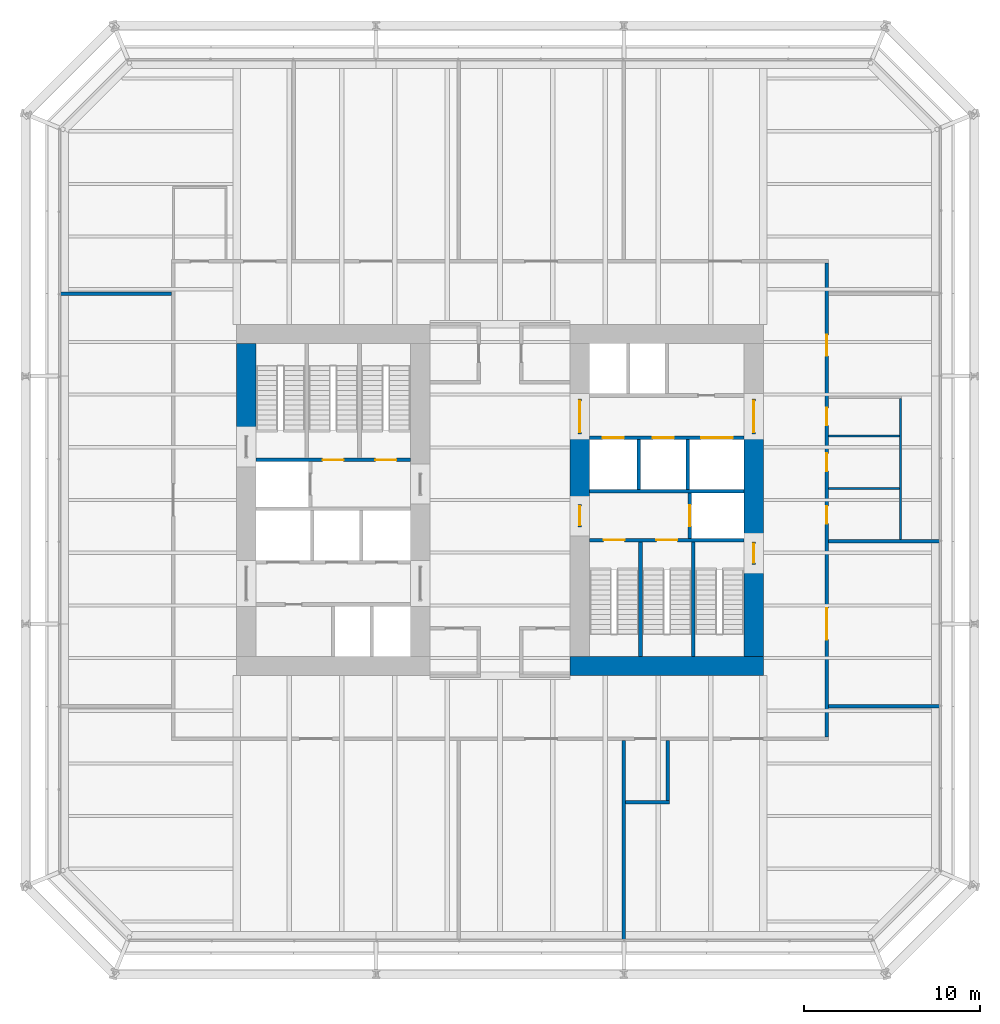
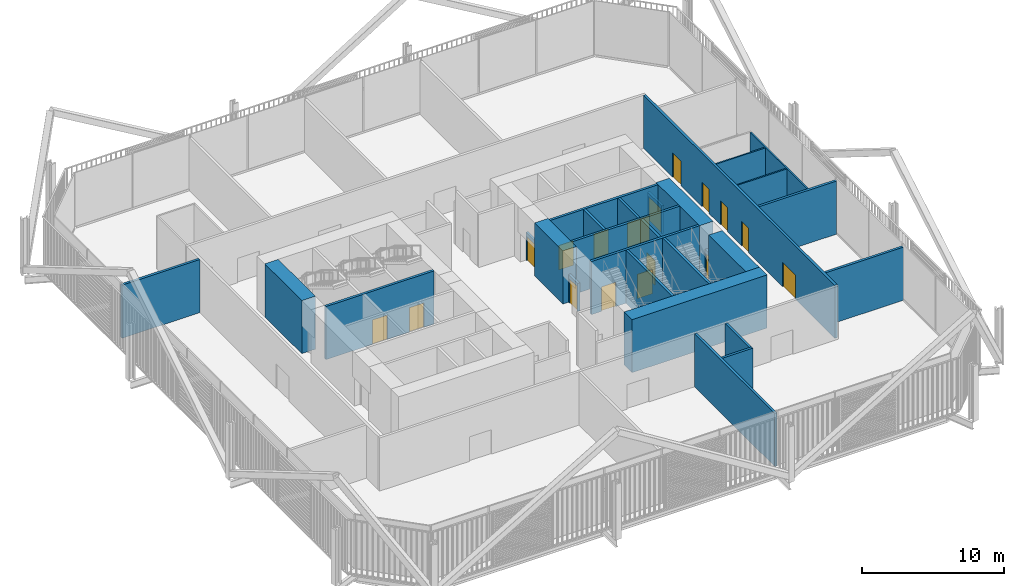
# One storey, part 19 of 22: 28 walls, 17 doors, 17 openings.
"""IFC4 building model written with IfcOpenShell, lengths in metres."""

from ifc_helpers import new_model, si_unit, direction, frame, frame_2d, origin, place, context, subcontext, project, spatial, rectangle, extrude, material, layer, layer_set, type_object, element, fill, save


model = new_model("IFC4")

# Units and contexts
model_context = context("Model", 3, precision=1e-05, world=origin(), true_north=direction((0.0, 1.0)))
body_context = subcontext(model_context, "Body", "Model", "MODEL_VIEW")
ifc_project = project(units=[si_unit("LENGTHUNIT", "METRE"), si_unit("AREAUNIT", "SQUARE_METRE"), si_unit("VOLUMEUNIT", "CUBIC_METRE"), si_unit("PLANEANGLEUNIT", "RADIAN"), si_unit("MASSUNIT", "GRAM", prefix="KILO")], contexts=[model_context])

# Site, building, storey
site_placement = place(None, origin())
site = spatial("IfcSite", under=ifc_project, at=site_placement, CompositionType="ELEMENT")
building_placement = place(site_placement, origin())
building = spatial("IfcBuilding", under=site, at=building_placement, Name="Millrace Tower", CompositionType="ELEMENT")
storey_placement = place(building_placement, frame((0.0, 0.0, 44.89990234375)))
storey = spatial("IfcBuildingStorey", under=building, at=storey_placement, Name="L10", CompositionType="ELEMENT", Elevation=44.89990234375)

# Walls
ifc_material_1 = material(Name="Concrete C80", Category="concrete")
ifc_layer_1 = layer(ifc_material_1, 1.10009765625)
ifc_layer_set_1 = layer_set([ifc_layer_1], Name="Concrete C80")
wall_type_1 = type_object("IfcWallType", Name="Core wall 1100 Concrete C80", PredefinedType="SHEAR", material=ifc_layer_set_1)
wall_1_placement = place(storey_placement, frame((-14.449951171875, 3.679931640625, 0.0), z_axis=(0.0, 0.0, 1.0), x_axis=(0.0, 1.0, 0.0)))
element("IfcWall", 1, at=wall_1_placement, inside=storey, type_object=wall_type_1, Name="Core wall W L10", PredefinedType="SHEAR", context=body_context, shape_type="SweptSolid", body=[
    extrude(rectangle(XDim=5.219970703125, YDim=1.10009765625, at=frame_2d((2.60986328125, 0.0))), origin(), (0.0, 0.0, 1.0), 4.5751953125),
])
wall_2_placement = place(storey_placement, frame((15.0, -9.449951171875, 0.0), z_axis=(0.0, 0.0, 1.0), x_axis=(-1.0, 0.0, 0.0)))
element("IfcWall", 2, at=wall_2_placement, inside=storey, type_object=wall_type_1, Name="Core wall E L10", PredefinedType="SHEAR", context=body_context, shape_type="SweptSolid", body=[
    extrude(rectangle(XDim=11.0, YDim=1.10009765625, at=frame_2d((5.5, 0.0))), origin(), (0.0, 0.0, 1.0), 4.5751953125),
])
wall_3_placement = place(storey_placement, frame((14.449951171875, 3.75, 0.0), z_axis=(0.0, 0.0, 1.0), x_axis=(0.0, -1.0, 0.0)))
element("IfcWall", 3, at=wall_3_placement, inside=storey, type_object=wall_type_1, Name="Core wall E L10", PredefinedType="SHEAR", context=body_context, shape_type="SweptSolid", body=[
    extrude(rectangle(XDim=6.1298828125, YDim=1.10009765625, at=frame_2d((3.06494140625, 0.0))), origin(), (0.0, 0.0, 1.0), 4.5751953125),
])
wall_4_placement = place(storey_placement, frame((14.449951171875, -3.679931640625, 0.0), z_axis=(0.0, 0.0, 1.0), x_axis=(0.0, -1.0, 0.0)))
element("IfcWall", 4, at=wall_4_placement, inside=storey, type_object=wall_type_1, Name="Core wall E L10", PredefinedType="SHEAR", context=body_context, shape_type="SweptSolid", body=[
    extrude(rectangle(XDim=5.219970703125, YDim=1.10009765625, at=frame_2d((2.60986328125, 0.0))), origin(), (0.0, 0.0, 1.0), 4.5751953125),
])
wall_5_placement = place(storey_placement, frame((4.550048828125, 3.75, 0.0), z_axis=(0.0, 0.0, 1.0), x_axis=(0.0, -1.0, 0.0)))
element("IfcWall", 5, at=wall_5_placement, inside=storey, type_object=wall_type_1, Name="Core wall E L10", PredefinedType="SHEAR", context=body_context, shape_type="SweptSolid", body=[
    extrude(rectangle(XDim=4.0, YDim=1.10009765625, at=frame_2d((2.0, 0.0))), origin(), (0.0, 0.0, 1.0), 4.5751953125),
])
ifc_material_2 = material(Name="Masonry partition, fire-rated", Category="masonry")
ifc_layer_2 = layer(ifc_material_2, 0.199951171875)
ifc_layer_set_2 = layer_set([ifc_layer_2], Name="Masonry partition, fire-rated")
wall_type_2 = type_object("IfcWallType", Name="Corridor wall 200", PredefinedType="PARTITIONING", material=ifc_layer_set_2)
wall_6_placement = place(storey_placement, frame((7.14990234375, -17.199951171875, 0.0), z_axis=(0.0, 0.0, 1.0), x_axis=(1.0, 0.0, 0.0)))
element("IfcWall", 6, at=wall_6_placement, inside=storey, type_object=wall_type_2, Name="Corridor wall L10", PredefinedType="PARTITIONING", context=body_context, shape_type="SweptSolid", body=[
    extrude(rectangle(XDim=2.5, YDim=0.199951171875, at=frame_2d((1.25, 0.0))), origin(), (0.0, 0.0, 1.0), 4.5751953125),
])
for number, where, z_axis, x_axis, name in (
    (7, (18.699951171875, -11.75, 0.0), (0.0, 0.0, 1.0), (1.0, 0.0, 0.0), "Corridor wall L10"),
    (8, (18.699951171875, -2.35009765625, 0.0), (0.0, 0.0, 1.0), (1.0, 0.0, 0.0), "Corridor wall L10"),
    (9, (-25.030029296875, 11.75, 0.0), (0.0, 0.0, 1.0), (1.0, 0.0, 0.0), "Corridor wall L10"),
):
    element("IfcWall", number, at=place(storey_placement, frame(where, z_axis=z_axis, x_axis=x_axis)), inside=storey, type_object=wall_type_2, Name=name, PredefinedType="PARTITIONING", context=body_context, shape_type="SweptSolid", body=[
        extrude(rectangle(XDim=6.330078125, YDim=0.199951171875, at=frame_2d((3.1650390625, 0.0))), origin(), (0.0, 0.0, 1.0), 4.5751953125),
    ])

# Wall, openings, doors
wall_7_placement = place(storey_placement, frame((18.60009765625, -13.5, 0.0), z_axis=(0.0, 0.0, 1.0), x_axis=(0.0, 1.0, 0.0)))
wall_7 = element("IfcWall", 10, at=wall_7_placement, inside=storey, type_object=wall_type_2, Name="Corridor wall L10", PredefinedType="PARTITIONING", context=body_context, shape_type="SweptSolid", body=[
    extrude(rectangle(XDim=27.0, YDim=0.199951171875, at=frame_2d((13.5, 0.0))), origin(), (0.0, 0.0, 1.0), 4.5751953125),
])
opening_1_placement = place(wall_7_placement, frame((5.550048828125, 0.0, 0.0)))
opening_1 = element("IfcOpeningElement", 11, at=opening_1_placement, cuts=wall_7, Name="Opening 10-P014", PredefinedType="OPENING", context=body_context, shape_type="SweptSolid", body=[
    extrude(rectangle(XDim=1.800048828125, YDim=2.10009765625, at=frame_2d((0.89990234375, 1.050048828125))), frame((0.0, 0.10986328125, 0.0), z_axis=(0.0, -1.0, 0.0), x_axis=(1.0, 0.0, 0.0)), (0.0, 0.0, 1.0), 0.219970703125),
])
opening_2_placement = place(wall_7_placement, frame((21.699951171875, 0.0, 0.0)))
opening_2 = element("IfcOpeningElement", 12, at=opening_2_placement, cuts=wall_7, Name="Opening 10-P015", PredefinedType="OPENING", context=body_context, shape_type="SweptSolid", body=[
    extrude(rectangle(XDim=1.199951171875, YDim=2.10009765625, at=frame_2d((0.60009765625, 1.050048828125))), frame((0.0, 0.10986328125, 0.0), z_axis=(0.0, -1.0, 0.0), x_axis=(1.0, 0.0, 0.0)), (0.0, 0.0, 1.0), 0.219970703125),
])
opening_3_placement = place(wall_7_placement, frame((12.14990234375, 0.0, 0.0)))
opening_3 = element("IfcOpeningElement", 13, at=opening_3_placement, cuts=wall_7, Name="Opening 10-P017", PredefinedType="OPENING", context=body_context, shape_type="SweptSolid", body=[
    extrude(rectangle(XDim=1.0, YDim=2.10009765625, at=frame_2d((0.5, 1.050048828125))), frame((0.0, 0.10986328125, 0.0), z_axis=(0.0, -1.0, 0.0), x_axis=(1.0, 0.0, 0.0)), (0.0, 0.0, 1.0), 0.219970703125),
])
opening_4_placement = place(wall_7_placement, frame((15.14990234375, 0.0, 0.0)))
opening_4 = element("IfcOpeningElement", 14, at=opening_4_placement, cuts=wall_7, Name="Opening 10-P018", PredefinedType="OPENING", context=body_context, shape_type="SweptSolid", body=[
    extrude(rectangle(XDim=1.0, YDim=2.10009765625, at=frame_2d((0.5, 1.050048828125))), frame((0.0, 0.10986328125, 0.0), z_axis=(0.0, -1.0, 0.0), x_axis=(1.0, 0.0, 0.0)), (0.0, 0.0, 1.0), 0.219970703125),
])
opening_5_placement = place(wall_7_placement, frame((17.75, 0.0, 0.0)))
opening_5 = element("IfcOpeningElement", 15, at=opening_5_placement, cuts=wall_7, Name="Opening 10-P019", PredefinedType="OPENING", context=body_context, shape_type="SweptSolid", body=[
    extrude(rectangle(XDim=1.0, YDim=2.10009765625, at=frame_2d((0.5, 1.050048828125))), frame((0.0, 0.10986328125, 0.0), z_axis=(0.0, -1.0, 0.0), x_axis=(1.0, 0.0, 0.0)), (0.0, 0.0, 1.0), 0.219970703125),
])
ifc_material_3 = material(Name="Steel door set, fire-rated", Category="steel")
door_type_1 = type_object("IfcDoorType", Name="Corridor door 1000 x 2100", OperationType="SINGLE_SWING_LEFT", PredefinedType="DOOR", material=ifc_material_3)
door_1_placement = place(opening_3_placement, frame((1.0, 0.0, 0.0), z_axis=(0.0, 0.0, 1.0), x_axis=(-1.0, 0.0, 0.0)))
door_1 = element("IfcDoor", 16, at=door_1_placement, inside=storey, type_object=door_type_1, Name="Door 10-P017", OperationType="SINGLE_SWING_RIGHT", OverallHeight=2.10009765625, OverallWidth=1.0, PredefinedType="DOOR", context=body_context, shape_type="SweptSolid", body=[
    extrude(rectangle(XDim=1.0, YDim=2.10009765625, at=frame_2d((0.5, 1.050048828125))), frame((0.0, 0.02490234375, 0.0), z_axis=(0.0, -1.0, 0.0), x_axis=(1.0, 0.0, 0.0)), (0.0, 0.0, 1.0), 0.050048828125),
])
fill(opening_3, door_1)
door_2_placement = place(opening_4_placement, frame((1.0, 0.0, 0.0), z_axis=(0.0, 0.0, 1.0), x_axis=(-1.0, 0.0, 0.0)))
door_2 = element("IfcDoor", 17, at=door_2_placement, inside=storey, type_object=door_type_1, Name="Door 10-P018", OperationType="SINGLE_SWING_LEFT", OverallHeight=2.10009765625, OverallWidth=1.0, PredefinedType="DOOR", context=body_context, shape_type="SweptSolid", body=[
    extrude(rectangle(XDim=1.0, YDim=2.10009765625, at=frame_2d((0.5, 1.050048828125))), frame((0.0, 0.02490234375, 0.0), z_axis=(0.0, -1.0, 0.0), x_axis=(1.0, 0.0, 0.0)), (0.0, 0.0, 1.0), 0.050048828125),
])
fill(opening_4, door_2)
door_3_placement = place(opening_5_placement, frame((1.0, 0.0, 0.0), z_axis=(0.0, 0.0, 1.0), x_axis=(-1.0, 0.0, 0.0)))
door_3 = element("IfcDoor", 18, at=door_3_placement, inside=storey, type_object=door_type_1, Name="Door 10-P019", OperationType="SINGLE_SWING_LEFT", OverallHeight=2.10009765625, OverallWidth=1.0, PredefinedType="DOOR", context=body_context, shape_type="SweptSolid", body=[
    extrude(rectangle(XDim=1.0, YDim=2.10009765625, at=frame_2d((0.5, 1.050048828125))), frame((0.0, 0.02490234375, 0.0), z_axis=(0.0, -1.0, 0.0), x_axis=(1.0, 0.0, 0.0)), (0.0, 0.0, 1.0), 0.050048828125),
])
fill(opening_5, door_3)
ifc_material_4 = material(Name="Steel door set, fire-rated", Category="steel")
door_type_2 = type_object("IfcDoorType", Name="Corridor door 1200 x 2100", OperationType="SINGLE_SWING_LEFT", PredefinedType="DOOR", material=ifc_material_4)
door_4_placement = place(opening_2_placement, frame((1.199951171875, 0.0, 0.0), z_axis=(0.0, 0.0, 1.0), x_axis=(-1.0, 0.0, 0.0)))
door_4 = element("IfcDoor", 19, at=door_4_placement, inside=storey, type_object=door_type_2, Name="Door 10-P015", OperationType="SINGLE_SWING_LEFT", OverallHeight=2.10009765625, OverallWidth=1.199951171875, PredefinedType="DOOR", context=body_context, shape_type="SweptSolid", body=[
    extrude(rectangle(XDim=1.199951171875, YDim=2.10009765625, at=frame_2d((0.60009765625, 1.050048828125))), frame((0.0, 0.02490234375, 0.0), z_axis=(0.0, -1.0, 0.0), x_axis=(1.0, 0.0, 0.0)), (0.0, 0.0, 1.0), 0.050048828125),
])
fill(opening_2, door_4)
ifc_material_5 = material(Name="Steel door set, fire-rated", Category="steel")
door_type_3 = type_object("IfcDoorType", Name="Data hall door 1800 x 2100", OperationType="DOUBLE_DOOR_SINGLE_SWING", PredefinedType="DOOR", material=ifc_material_5)
door_5_placement = place(opening_1_placement, frame((1.800048828125, 0.0, 0.0), z_axis=(0.0, 0.0, 1.0), x_axis=(-1.0, 0.0, 0.0)))
door_5 = element("IfcDoor", 20, at=door_5_placement, inside=storey, type_object=door_type_3, Name="Door 10-P014", OperationType="DOUBLE_DOOR_SINGLE_SWING", OverallHeight=2.10009765625, OverallWidth=1.800048828125, PredefinedType="DOOR", context=body_context, shape_type="SweptSolid", body=[
    extrude(rectangle(XDim=1.800048828125, YDim=2.10009765625, at=frame_2d((0.89990234375, 1.050048828125))), frame((0.0, 0.02490234375, 0.0), z_axis=(0.0, -1.0, 0.0), x_axis=(1.0, 0.0, 0.0)), (0.0, 0.0, 1.0), 0.050048828125),
])
fill(opening_1, door_5)

# Walls
wall_8_placement = place(storey_placement, frame((9.550048828125, -17.10009765625, 0.0), z_axis=(0.0, 0.0, 1.0), x_axis=(0.0, 1.0, 0.0)))
element("IfcWall", 21, at=wall_8_placement, inside=storey, type_object=wall_type_2, Name="Corridor wall L10", PredefinedType="PARTITIONING", context=body_context, shape_type="SweptSolid", body=[
    extrude(rectangle(XDim=3.400146484375, YDim=0.199951171875, at=frame_2d((1.7001953125, 0.0))), origin(), (0.0, 0.0, 1.0), 4.5751953125),
])
wall_9_placement = place(storey_placement, frame((7.050048828125, -25.030029296875, 0.0), z_axis=(0.0, 0.0, 1.0), x_axis=(0.0, 1.0, 0.0)))
element("IfcWall", 22, at=wall_9_placement, inside=storey, type_object=wall_type_2, Name="Corridor wall L10", PredefinedType="PARTITIONING", context=body_context, shape_type="SweptSolid", body=[
    extrude(rectangle(XDim=11.330078125, YDim=0.199951171875, at=frame_2d((5.6650390625, 0.0))), origin(), (0.0, 0.0, 1.0), 4.5751953125),
])

# Wall, openings, doors
ifc_material_6 = material(Name="Masonry partition, fire-rated", Category="masonry")
ifc_layer_3 = layer(ifc_material_6, 0.199951171875)
ifc_layer_set_3 = layer_set([ifc_layer_3], Name="Masonry partition, fire-rated")
wall_type_3 = type_object("IfcWallType", Name="Lift shaft wall 200", PredefinedType="PARTITIONING", material=ifc_layer_set_3)
wall_10_placement = place(storey_placement, frame((13.89990234375, 3.550048828125, 0.0), z_axis=(0.0, 0.0, 1.0), x_axis=(-1.0, 0.0, 0.0)))
wall_10 = element("IfcWall", 23, at=wall_10_placement, inside=storey, type_object=wall_type_3, Name="Lift shaft wall E L10", PredefinedType="PARTITIONING", context=body_context, shape_type="SweptSolid", body=[
    extrude(rectangle(XDim=8.7998046875, YDim=0.199951171875, at=frame_2d((4.39990234375, 0.0))), origin(), (0.0, 0.0, 1.0), 4.5751953125),
])
opening_6_placement = place(wall_10_placement, frame((0.64990234375, 0.0, 0.0)))
opening_6 = element("IfcOpeningElement", 24, at=opening_6_placement, cuts=wall_10, Name="Opening 10-LD13", PredefinedType="OPENING", context=body_context, shape_type="SweptSolid", body=[
    extrude(rectangle(XDim=1.800048828125, YDim=2.10009765625, at=frame_2d((0.89990234375, 1.050048828125))), frame((0.0, 0.10986328125, 0.0), z_axis=(0.0, -1.0, 0.0), x_axis=(1.0, 0.0, 0.0)), (0.0, 0.0, 1.0), 0.219970703125),
])
opening_7_placement = place(wall_10_placement, frame((4.0, 0.0, 0.0)))
opening_7 = element("IfcOpeningElement", 25, at=opening_7_placement, cuts=wall_10, Name="Opening 10-LD14", PredefinedType="OPENING", context=body_context, shape_type="SweptSolid", body=[
    extrude(rectangle(XDim=1.199951171875, YDim=2.10009765625, at=frame_2d((0.60009765625, 1.050048828125))), frame((0.0, 0.10986328125, 0.0), z_axis=(0.0, -1.0, 0.0), x_axis=(1.0, 0.0, 0.0)), (0.0, 0.0, 1.0), 0.219970703125),
])
opening_8_placement = place(wall_10_placement, frame((6.85009765625, 0.0, 0.0)))
opening_8 = element("IfcOpeningElement", 26, at=opening_8_placement, cuts=wall_10, Name="Opening 10-LD15", PredefinedType="OPENING", context=body_context, shape_type="SweptSolid", body=[
    extrude(rectangle(XDim=1.199951171875, YDim=2.10009765625, at=frame_2d((0.60009765625, 1.050048828125))), frame((0.0, 0.10986328125, 0.0), z_axis=(0.0, -1.0, 0.0), x_axis=(1.0, 0.0, 0.0)), (0.0, 0.0, 1.0), 0.219970703125),
])
ifc_material_7 = material(Name="Stainless steel, fire-rated", Category="steel")
door_type_4 = type_object("IfcDoorType", Name="Lift landing door 1200 x 2100", OperationType="DOUBLE_DOOR_SLIDING", PredefinedType="DOOR", material=ifc_material_7)
door_6_placement = place(opening_7_placement, origin())
door_6 = element("IfcDoor", 27, at=door_6_placement, inside=storey, type_object=door_type_4, Name="Lift landing door LF14 L10", OperationType="DOUBLE_DOOR_SLIDING", OverallHeight=2.10009765625, OverallWidth=1.199951171875, PredefinedType="DOOR", context=body_context, shape_type="SweptSolid", body=[
    extrude(rectangle(XDim=1.199951171875, YDim=2.10009765625, at=frame_2d((0.60009765625, 1.050048828125))), frame((0.0, 0.02490234375, 0.0), z_axis=(0.0, -1.0, 0.0), x_axis=(1.0, 0.0, 0.0)), (0.0, 0.0, 1.0), 0.050048828125),
])
fill(opening_7, door_6)
door_7_placement = place(opening_8_placement, origin())
door_7 = element("IfcDoor", 28, at=door_7_placement, inside=storey, type_object=door_type_4, Name="Lift landing door LF15 L10", OperationType="DOUBLE_DOOR_SLIDING", OverallHeight=2.10009765625, OverallWidth=1.199951171875, PredefinedType="DOOR", context=body_context, shape_type="SweptSolid", body=[
    extrude(rectangle(XDim=1.199951171875, YDim=2.10009765625, at=frame_2d((0.60009765625, 1.050048828125))), frame((0.0, 0.02490234375, 0.0), z_axis=(0.0, -1.0, 0.0), x_axis=(1.0, 0.0, 0.0)), (0.0, 0.0, 1.0), 0.050048828125),
])
fill(opening_8, door_7)
ifc_material_8 = material(Name="Stainless steel, fire-rated", Category="steel")
door_type_5 = type_object("IfcDoorType", Name="Lift landing door 1800 x 2100", OperationType="DOUBLE_DOOR_SLIDING", PredefinedType="DOOR", material=ifc_material_8)
door_8_placement = place(opening_6_placement, origin())
door_8 = element("IfcDoor", 29, at=door_8_placement, inside=storey, type_object=door_type_5, Name="Lift landing door LF13 L10", OperationType="DOUBLE_DOOR_SLIDING", OverallHeight=2.10009765625, OverallWidth=1.800048828125, PredefinedType="DOOR", context=body_context, shape_type="SweptSolid", body=[
    extrude(rectangle(XDim=1.800048828125, YDim=2.10009765625, at=frame_2d((0.89990234375, 1.050048828125))), frame((0.0, 0.02490234375, 0.0), z_axis=(0.0, -1.0, 0.0), x_axis=(1.0, 0.0, 0.0)), (0.0, 0.0, 1.0), 0.050048828125),
])
fill(opening_6, door_8)

# Wall
wall_11_placement = place(storey_placement, frame((13.89990234375, 0.5, 0.0), z_axis=(0.0, 0.0, 1.0), x_axis=(-1.0, 0.0, 0.0)))
element("IfcWall", 30, at=wall_11_placement, inside=storey, type_object=wall_type_3, Name="Lift shaft wall E L10", PredefinedType="PARTITIONING", context=body_context, shape_type="SweptSolid", body=[
    extrude(rectangle(XDim=8.7998046875, YDim=0.199951171875, at=frame_2d((4.39990234375, 0.0))), origin(), (0.0, 0.0, 1.0), 4.5751953125),
])

# Wall, opening, door
wall_12_placement = place(storey_placement, frame((10.800048828125, 0.39990234375, 0.0), z_axis=(0.0, 0.0, 1.0), x_axis=(0.0, -1.0, 0.0)))
wall_12 = element("IfcWall", 31, at=wall_12_placement, inside=storey, type_object=wall_type_3, Name="Lift shaft wall E L10", PredefinedType="PARTITIONING", context=body_context, shape_type="SweptSolid", body=[
    extrude(rectangle(XDim=2.579833984375, YDim=0.199951171875, at=frame_2d((1.2900390625, 0.0))), origin(), (0.0, 0.0, 1.0), 4.5751953125),
])
opening_9_placement = place(wall_12_placement, frame((0.68994140625, 0.0, 0.0)))
opening_9 = element("IfcOpeningElement", 32, at=opening_9_placement, cuts=wall_12, Name="Opening 10-LD16", PredefinedType="OPENING", context=body_context, shape_type="SweptSolid", body=[
    extrude(rectangle(XDim=1.199951171875, YDim=2.10009765625, at=frame_2d((0.60009765625, 1.050048828125))), frame((0.0, 0.10986328125, 0.0), z_axis=(0.0, -1.0, 0.0), x_axis=(1.0, 0.0, 0.0)), (0.0, 0.0, 1.0), 0.219970703125),
])
door_9_placement = place(opening_9_placement, origin())
door_9 = element("IfcDoor", 33, at=door_9_placement, inside=storey, type_object=door_type_4, Name="Lift landing door LF16 L10", OperationType="DOUBLE_DOOR_SLIDING", OverallHeight=2.10009765625, OverallWidth=1.199951171875, PredefinedType="DOOR", context=body_context, shape_type="SweptSolid", body=[
    extrude(rectangle(XDim=1.199951171875, YDim=2.10009765625, at=frame_2d((0.60009765625, 1.050048828125))), frame((0.0, 0.02490234375, 0.0), z_axis=(0.0, -1.0, 0.0), x_axis=(1.0, 0.0, 0.0)), (0.0, 0.0, 1.0), 0.050048828125),
])
fill(opening_9, door_9)

# Walls
for number, where, z_axis, x_axis, name in (
    (34, (10.699951171875, 3.449951171875, 0.0), (0.0, 0.0, 1.0), (0.0, -1.0, 0.0), "Lift shaft wall E L10"),
    (35, (7.89990234375, 3.449951171875, 0.0), (0.0, 0.0, 1.0), (0.0, -1.0, 0.0), "Lift shaft wall E L10"),
):
    element("IfcWall", number, at=place(storey_placement, frame(where, z_axis=z_axis, x_axis=x_axis)), inside=storey, type_object=wall_type_3, Name=name, PredefinedType="PARTITIONING", context=body_context, shape_type="SweptSolid", body=[
        extrude(rectangle(XDim=2.849853515625, YDim=0.199951171875, at=frame_2d((1.4248046875, 0.0))), origin(), (0.0, 0.0, 1.0), 4.5751953125),
    ])

# Wall, opening, door
ifc_material_9 = material(Name="Masonry partition, fire-rated", Category="masonry")
ifc_layer_4 = layer(ifc_material_9, 0.199951171875)
ifc_layer_set_4 = layer_set([ifc_layer_4], Name="Masonry partition, fire-rated")
wall_type_4 = type_object("IfcWallType", Name="Lobby wall 200", PredefinedType="PARTITIONING", material=ifc_layer_set_4)
wall_13_placement = place(storey_placement, frame((14.449951171875, 5.75, 0.0), z_axis=(0.0, 0.0, 1.0), x_axis=(0.0, -1.0, 0.0)))
wall_13 = element("IfcWall", 36, at=wall_13_placement, inside=storey, type_object=wall_type_4, Name="Lobby wall E L10", PredefinedType="PARTITIONING", context=body_context, shape_type="SweptSolid", body=[
    extrude(rectangle(XDim=2.0, YDim=0.199951171875, at=frame_2d((1.0, 0.0))), origin(), (0.0, 0.0, 1.0), 2.400146484375),
])
opening_10_placement = place(wall_13_placement, frame((0.10009765625, 0.0, 0.0)))
opening_10 = element("IfcOpeningElement", 37, at=opening_10_placement, cuts=wall_13, Name="Opening 10-C008", PredefinedType="OPENING", context=body_context, shape_type="SweptSolid", body=[
    extrude(rectangle(XDim=1.800048828125, YDim=2.10009765625, at=frame_2d((0.89990234375, 1.050048828125))), frame((0.0, 0.10986328125, 0.0), z_axis=(0.0, -1.0, 0.0), x_axis=(1.0, 0.0, 0.0)), (0.0, 0.0, 1.0), 0.219970703125),
])
ifc_material_10 = material(Name="Steel door, fire-rated", Category="steel")
door_type_6 = type_object("IfcDoorType", Name="Lobby door 1800 x 2100", OperationType="DOUBLE_DOOR_SINGLE_SWING", PredefinedType="DOOR", material=ifc_material_10)
door_10_placement = place(opening_10_placement, origin())
door_10 = element("IfcDoor", 38, at=door_10_placement, inside=storey, type_object=door_type_6, Name="Lobby door 10-C008", OperationType="DOUBLE_DOOR_SINGLE_SWING", OverallHeight=2.10009765625, OverallWidth=1.800048828125, PredefinedType="DOOR", context=body_context, shape_type="SweptSolid", body=[
    extrude(rectangle(XDim=1.800048828125, YDim=2.10009765625, at=frame_2d((0.89990234375, 1.050048828125))), frame((0.0, 0.02490234375, 0.0), z_axis=(0.0, -1.0, 0.0), x_axis=(1.0, 0.0, 0.0)), (0.0, 0.0, 1.0), 0.050048828125),
])
fill(opening_10, door_10)

wall_14_placement = place(storey_placement, frame((4.550048828125, 5.75, 0.0), z_axis=(0.0, 0.0, 1.0), x_axis=(0.0, -1.0, 0.0)))
wall_14 = element("IfcWall", 39, at=wall_14_placement, inside=storey, type_object=wall_type_4, Name="Lobby wall E L10", PredefinedType="PARTITIONING", context=body_context, shape_type="SweptSolid", body=[
    extrude(rectangle(XDim=2.0, YDim=0.199951171875, at=frame_2d((1.0, 0.0))), origin(), (0.0, 0.0, 1.0), 2.400146484375),
])
opening_11_placement = place(wall_14_placement, frame((0.10009765625, 0.0, 0.0)))
opening_11 = element("IfcOpeningElement", 40, at=opening_11_placement, cuts=wall_14, Name="Opening 10-C010", PredefinedType="OPENING", context=body_context, shape_type="SweptSolid", body=[
    extrude(rectangle(XDim=1.800048828125, YDim=2.10009765625, at=frame_2d((0.89990234375, 1.050048828125))), frame((0.0, 0.10986328125, 0.0), z_axis=(0.0, -1.0, 0.0), x_axis=(1.0, 0.0, 0.0)), (0.0, 0.0, 1.0), 0.219970703125),
])
door_11_placement = place(opening_11_placement, origin())
door_11 = element("IfcDoor", 41, at=door_11_placement, inside=storey, type_object=door_type_6, Name="Lobby door 10-C010", OperationType="DOUBLE_DOOR_SINGLE_SWING", OverallHeight=2.10009765625, OverallWidth=1.800048828125, PredefinedType="DOOR", context=body_context, shape_type="SweptSolid", body=[
    extrude(rectangle(XDim=1.800048828125, YDim=2.10009765625, at=frame_2d((0.89990234375, 1.050048828125))), frame((0.0, 0.02490234375, 0.0), z_axis=(0.0, -1.0, 0.0), x_axis=(1.0, 0.0, 0.0)), (0.0, 0.0, 1.0), 0.050048828125),
])
fill(opening_11, door_11)

wall_15_placement = place(storey_placement, frame((4.550048828125, -0.25, 0.0), z_axis=(0.0, 0.0, 1.0), x_axis=(0.0, -1.0, 0.0)))
wall_15 = element("IfcWall", 42, at=wall_15_placement, inside=storey, type_object=wall_type_4, Name="Lobby wall E L10", PredefinedType="PARTITIONING", context=body_context, shape_type="SweptSolid", body=[
    extrude(rectangle(XDim=1.300048828125, YDim=0.199951171875, at=frame_2d((0.64990234375, 0.0))), origin(), (0.0, 0.0, 1.0), 2.400146484375),
])
opening_12_placement = place(wall_15_placement, frame((0.10009765625, 0.0, 0.0)))
opening_12 = element("IfcOpeningElement", 43, at=opening_12_placement, cuts=wall_15, Name="Opening 10-C011", PredefinedType="OPENING", context=body_context, shape_type="SweptSolid", body=[
    extrude(rectangle(XDim=1.10009765625, YDim=2.10009765625, at=frame_2d((0.550048828125, 1.050048828125))), frame((0.0, 0.10986328125, 0.0), z_axis=(0.0, -1.0, 0.0), x_axis=(1.0, 0.0, 0.0)), (0.0, 0.0, 1.0), 0.219970703125),
])
ifc_material_11 = material(Name="Steel door, fire-rated", Category="steel")
door_type_7 = type_object("IfcDoorType", Name="Lobby door 1100 x 2100", OperationType="SINGLE_SWING_LEFT", PredefinedType="DOOR", material=ifc_material_11)
door_12_placement = place(opening_12_placement, origin())
door_12 = element("IfcDoor", 44, at=door_12_placement, inside=storey, type_object=door_type_7, Name="Lobby door 10-C011", OperationType="SINGLE_SWING_LEFT", OverallHeight=2.10009765625, OverallWidth=1.10009765625, PredefinedType="DOOR", context=body_context, shape_type="SweptSolid", body=[
    extrude(rectangle(XDim=1.10009765625, YDim=2.10009765625, at=frame_2d((0.550048828125, 1.050048828125))), frame((0.0, 0.02490234375, 0.0), z_axis=(0.0, -1.0, 0.0), x_axis=(1.0, 0.0, 0.0)), (0.0, 0.0, 1.0), 0.050048828125),
])
fill(opening_12, door_12)

# Walls
ifc_material_12 = material(Name="Gypsum board partition")
ifc_layer_5 = layer(ifc_material_12, 0.1201171875)
ifc_layer_set_5 = layer_set([ifc_layer_5], Name="Gypsum board partition")
wall_type_5 = type_object("IfcWallType", Name="Partition wall 120", PredefinedType="PARTITIONING", material=ifc_layer_set_5)
for number, where, z_axis, x_axis, name in (
    (45, (18.699951171875, 0.64990234375, 0.0), (0.0, 0.0, 1.0), (1.0, 0.0, 0.0), "Partition wall L10"),
    (46, (18.699951171875, 3.64990234375, 0.0), (0.0, 0.0, 1.0), (1.0, 0.0, 0.0), "Partition wall L10"),
):
    element("IfcWall", number, at=place(storey_placement, frame(where, z_axis=z_axis, x_axis=x_axis)), inside=storey, type_object=wall_type_5, Name=name, PredefinedType="PARTITIONING", context=body_context, shape_type="SweptSolid", body=[
        extrude(rectangle(XDim=4.0400390625, YDim=0.1201171875, at=frame_2d((2.02001953125, 0.0))), origin(), (0.0, 0.0, 1.0), 4.5751953125),
    ])
wall_16_placement = place(storey_placement, frame((22.800048828125, -2.25, 0.0), z_axis=(0.0, 0.0, 1.0), x_axis=(0.0, 1.0, 0.0)))
element("IfcWall", 47, at=wall_16_placement, inside=storey, type_object=wall_type_5, Name="Partition wall L10", PredefinedType="PARTITIONING", context=body_context, shape_type="SweptSolid", body=[
    extrude(rectangle(XDim=8.0400390625, YDim=0.1201171875, at=frame_2d((4.02001953125, 0.0))), origin(), (0.0, 0.0, 1.0), 4.5751953125),
])

# Wall, openings, doors
ifc_material_13 = material(Name="Concrete C40", Category="concrete")
ifc_layer_6 = layer(ifc_material_13, 0.199951171875)
ifc_layer_set_6 = layer_set([ifc_layer_6], Name="Concrete C40")
wall_type_6 = type_object("IfcWallType", Name="Stair enclosure wall 200 Concrete C40", PredefinedType="SHEAR", material=ifc_layer_set_6)
wall_17_placement = place(storey_placement, frame((-13.89990234375, 2.280029296875, 0.0), z_axis=(0.0, 0.0, 1.0), x_axis=(1.0, 0.0, 0.0)))
wall_17 = element("IfcWall", 48, at=wall_17_placement, inside=storey, type_object=wall_type_6, Name="Stair enclosure wall W L10", PredefinedType="SHEAR", context=body_context, shape_type="SweptSolid", body=[
    extrude(rectangle(XDim=8.7998046875, YDim=0.199951171875, at=frame_2d((4.39990234375, 0.0))), origin(), (0.0, 0.0, 1.0), 4.5751953125),
])
opening_13_placement = place(wall_17_placement, frame((3.800048828125, 0.0, 0.0)))
opening_13 = element("IfcOpeningElement", 49, at=opening_13_placement, cuts=wall_17, Name="Opening 10-C006", PredefinedType="OPENING", context=body_context, shape_type="SweptSolid", body=[
    extrude(rectangle(XDim=1.199951171875, YDim=2.10009765625, at=frame_2d((0.60009765625, 1.050048828125))), frame((0.0, 0.10986328125, 0.0), z_axis=(0.0, -1.0, 0.0), x_axis=(1.0, 0.0, 0.0)), (0.0, 0.0, 1.0), 0.219970703125),
])
opening_14_placement = place(wall_17_placement, frame((6.800048828125, 0.0, 0.0)))
opening_14 = element("IfcOpeningElement", 50, at=opening_14_placement, cuts=wall_17, Name="Opening 10-C007", PredefinedType="OPENING", context=body_context, shape_type="SweptSolid", body=[
    extrude(rectangle(XDim=1.199951171875, YDim=2.10009765625, at=frame_2d((0.60009765625, 1.050048828125))), frame((0.0, 0.10986328125, 0.0), z_axis=(0.0, -1.0, 0.0), x_axis=(1.0, 0.0, 0.0)), (0.0, 0.0, 1.0), 0.219970703125),
])
ifc_material_14 = material(Name="Steel door, fire-rated", Category="steel")
door_type_8 = type_object("IfcDoorType", Name="Stair door 1200 x 2100", OperationType="SINGLE_SWING_LEFT", PredefinedType="DOOR", material=ifc_material_14)
door_13_placement = place(opening_13_placement, frame((1.199951171875, 0.0, 0.0), z_axis=(0.0, 0.0, 1.0), x_axis=(-1.0, 0.0, 0.0)))
door_13 = element("IfcDoor", 51, at=door_13_placement, inside=storey, type_object=door_type_8, Name="Stair door 10-C006", OperationType="SINGLE_SWING_RIGHT", OverallHeight=2.10009765625, OverallWidth=1.199951171875, PredefinedType="DOOR", context=body_context, shape_type="SweptSolid", body=[
    extrude(rectangle(XDim=1.199951171875, YDim=2.10009765625, at=frame_2d((0.60009765625, 1.050048828125))), frame((0.0, 0.02490234375, 0.0), z_axis=(0.0, -1.0, 0.0), x_axis=(1.0, 0.0, 0.0)), (0.0, 0.0, 1.0), 0.050048828125),
])
fill(opening_13, door_13)
door_14_placement = place(opening_14_placement, frame((1.199951171875, 0.0, 0.0), z_axis=(0.0, 0.0, 1.0), x_axis=(-1.0, 0.0, 0.0)))
door_14 = element("IfcDoor", 52, at=door_14_placement, inside=storey, type_object=door_type_8, Name="Stair door 10-C007", OperationType="SINGLE_SWING_LEFT", OverallHeight=2.10009765625, OverallWidth=1.199951171875, PredefinedType="DOOR", context=body_context, shape_type="SweptSolid", body=[
    extrude(rectangle(XDim=1.199951171875, YDim=2.10009765625, at=frame_2d((0.60009765625, 1.050048828125))), frame((0.0, 0.02490234375, 0.0), z_axis=(0.0, -1.0, 0.0), x_axis=(1.0, 0.0, 0.0)), (0.0, 0.0, 1.0), 0.050048828125),
])
fill(opening_14, door_14)

# Wall, opening, door
wall_18_placement = place(storey_placement, frame((14.449951171875, -2.3798828125, 0.0), z_axis=(0.0, 0.0, 1.0), x_axis=(0.0, -1.0, 0.0)))
wall_18 = element("IfcWall", 53, at=wall_18_placement, inside=storey, type_object=wall_type_6, Name="Stair enclosure wall E L10", PredefinedType="SHEAR", context=body_context, shape_type="SweptSolid", body=[
    extrude(rectangle(XDim=1.300048828125, YDim=0.199951171875, at=frame_2d((0.64990234375, 0.0))), origin(), (0.0, 0.0, 1.0), 2.400146484375),
])
opening_15_placement = place(wall_18_placement, frame((0.10009765625, 0.0, 0.0)))
opening_15 = element("IfcOpeningElement", 54, at=opening_15_placement, cuts=wall_18, Name="Opening 10-C009", PredefinedType="OPENING", context=body_context, shape_type="SweptSolid", body=[
    extrude(rectangle(XDim=1.10009765625, YDim=2.10009765625, at=frame_2d((0.550048828125, 1.050048828125))), frame((0.0, 0.10986328125, 0.0), z_axis=(0.0, -1.0, 0.0), x_axis=(1.0, 0.0, 0.0)), (0.0, 0.0, 1.0), 0.219970703125),
])
ifc_material_15 = material(Name="Steel door, fire-rated", Category="steel")
door_type_9 = type_object("IfcDoorType", Name="Stair door 1100 x 2100", OperationType="SINGLE_SWING_LEFT", PredefinedType="DOOR", material=ifc_material_15)
door_15_placement = place(opening_15_placement, origin())
door_15 = element("IfcDoor", 55, at=door_15_placement, inside=storey, type_object=door_type_9, Name="Stair door 10-C009", OperationType="SINGLE_SWING_LEFT", OverallHeight=2.10009765625, OverallWidth=1.10009765625, PredefinedType="DOOR", context=body_context, shape_type="SweptSolid", body=[
    extrude(rectangle(XDim=1.10009765625, YDim=2.10009765625, at=frame_2d((0.550048828125, 1.050048828125))), frame((0.0, 0.02490234375, 0.0), z_axis=(0.0, -1.0, 0.0), x_axis=(1.0, 0.0, 0.0)), (0.0, 0.0, 1.0), 0.050048828125),
])
fill(opening_15, door_15)

# Wall, openings, doors
wall_19_placement = place(storey_placement, frame((13.89990234375, -2.280029296875, 0.0), z_axis=(0.0, 0.0, 1.0), x_axis=(-1.0, 0.0, 0.0)))
wall_19 = element("IfcWall", 56, at=wall_19_placement, inside=storey, type_object=wall_type_6, Name="Stair enclosure wall E L10", PredefinedType="SHEAR", context=body_context, shape_type="SweptSolid", body=[
    extrude(rectangle(XDim=8.7998046875, YDim=0.199951171875, at=frame_2d((4.39990234375, 0.0))), origin(), (0.0, 0.0, 1.0), 4.5751953125),
])
opening_16_placement = place(wall_19_placement, frame((3.800048828125, 0.0, 0.0)))
opening_16 = element("IfcOpeningElement", 57, at=opening_16_placement, cuts=wall_19, Name="Opening 10-C013", PredefinedType="OPENING", context=body_context, shape_type="SweptSolid", body=[
    extrude(rectangle(XDim=1.199951171875, YDim=2.10009765625, at=frame_2d((0.60009765625, 1.050048828125))), frame((0.0, 0.10986328125, 0.0), z_axis=(0.0, -1.0, 0.0), x_axis=(1.0, 0.0, 0.0)), (0.0, 0.0, 1.0), 0.219970703125),
])
opening_17_placement = place(wall_19_placement, frame((6.800048828125, 0.0, 0.0)))
opening_17 = element("IfcOpeningElement", 58, at=opening_17_placement, cuts=wall_19, Name="Opening 10-C014", PredefinedType="OPENING", context=body_context, shape_type="SweptSolid", body=[
    extrude(rectangle(XDim=1.199951171875, YDim=2.10009765625, at=frame_2d((0.60009765625, 1.050048828125))), frame((0.0, 0.10986328125, 0.0), z_axis=(0.0, -1.0, 0.0), x_axis=(1.0, 0.0, 0.0)), (0.0, 0.0, 1.0), 0.219970703125),
])
door_16_placement = place(opening_16_placement, frame((1.199951171875, 0.0, 0.0), z_axis=(0.0, 0.0, 1.0), x_axis=(-1.0, 0.0, 0.0)))
door_16 = element("IfcDoor", 59, at=door_16_placement, inside=storey, type_object=door_type_8, Name="Stair door 10-C013", OperationType="SINGLE_SWING_RIGHT", OverallHeight=2.10009765625, OverallWidth=1.199951171875, PredefinedType="DOOR", context=body_context, shape_type="SweptSolid", body=[
    extrude(rectangle(XDim=1.199951171875, YDim=2.10009765625, at=frame_2d((0.60009765625, 1.050048828125))), frame((0.0, 0.02490234375, 0.0), z_axis=(0.0, -1.0, 0.0), x_axis=(1.0, 0.0, 0.0)), (0.0, 0.0, 1.0), 0.050048828125),
])
fill(opening_16, door_16)
door_17_placement = place(opening_17_placement, frame((1.199951171875, 0.0, 0.0), z_axis=(0.0, 0.0, 1.0), x_axis=(-1.0, 0.0, 0.0)))
door_17 = element("IfcDoor", 60, at=door_17_placement, inside=storey, type_object=door_type_8, Name="Stair door 10-C014", OperationType="SINGLE_SWING_LEFT", OverallHeight=2.10009765625, OverallWidth=1.199951171875, PredefinedType="DOOR", context=body_context, shape_type="SweptSolid", body=[
    extrude(rectangle(XDim=1.199951171875, YDim=2.10009765625, at=frame_2d((0.60009765625, 1.050048828125))), frame((0.0, 0.02490234375, 0.0), z_axis=(0.0, -1.0, 0.0), x_axis=(1.0, 0.0, 0.0)), (0.0, 0.0, 1.0), 0.050048828125),
])
fill(opening_17, door_17)

# Walls
for number, where, z_axis, x_axis, name in (
    (61, (11.0, -2.3798828125, 0.0), (0.0, 0.0, 1.0), (0.0, -1.0, 0.0), "Stair enclosure wall E L10"),
    (62, (8.0, -2.3798828125, 0.0), (0.0, 0.0, 1.0), (0.0, -1.0, 0.0), "Stair enclosure wall E L10"),
):
    element("IfcWall", number, at=place(storey_placement, frame(where, z_axis=z_axis, x_axis=x_axis)), inside=storey, type_object=wall_type_6, Name=name, PredefinedType="SHEAR", context=body_context, shape_type="SweptSolid", body=[
        extrude(rectangle(XDim=6.52001953125, YDim=0.199951171875, at=frame_2d((3.260009765625, 0.0))), origin(), (0.0, 0.0, 1.0), 4.5751953125),
    ])

save(model, "model.ifc")
